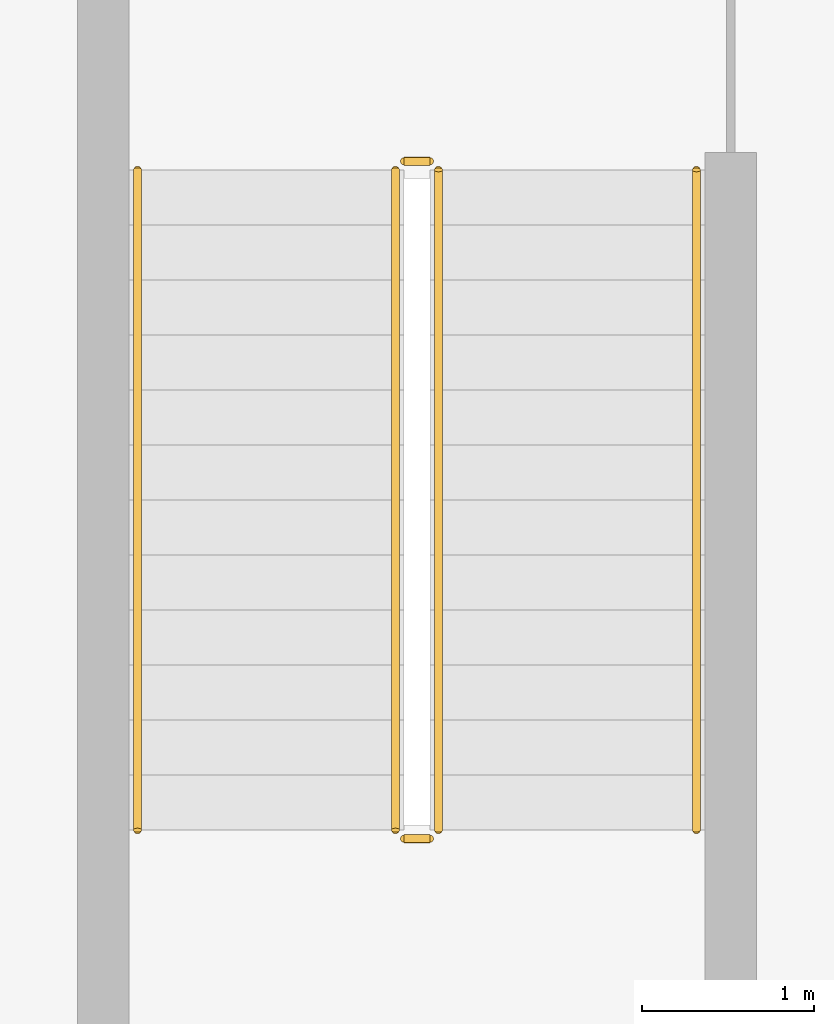
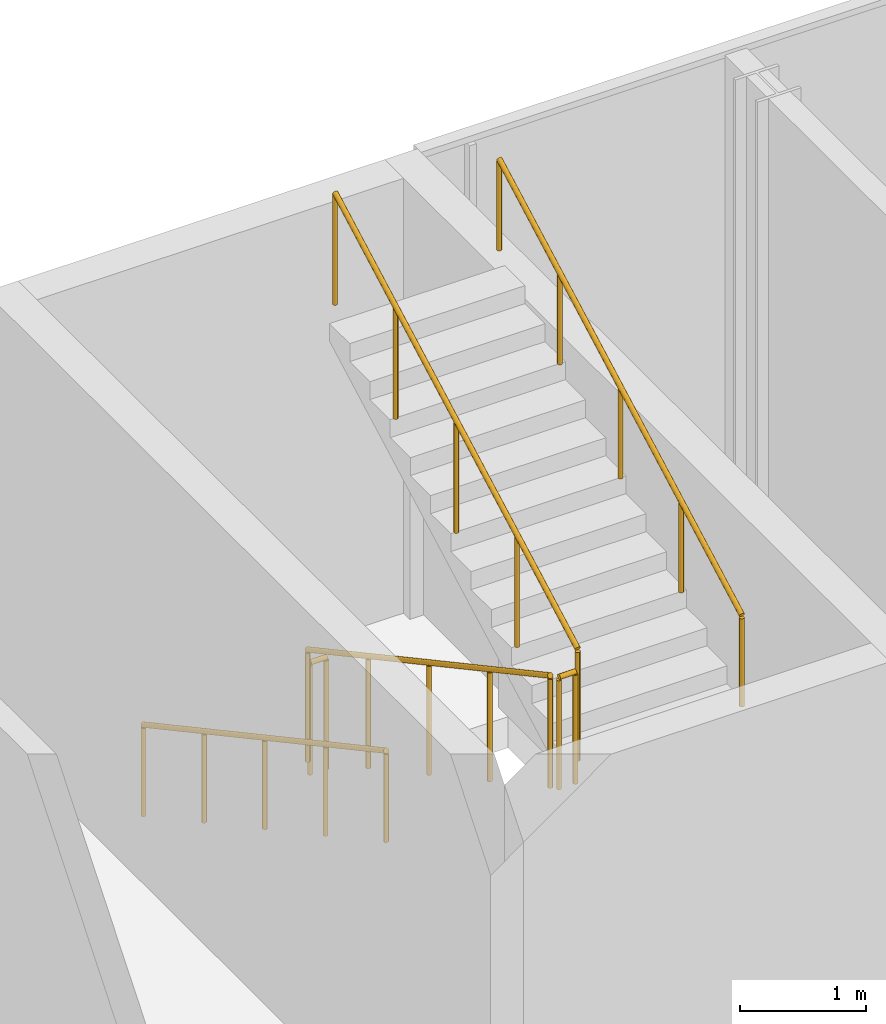
# One storey, part 44 of 45: 6 railings.
"""IFC4 building model written with IfcOpenShell, lengths in metres."""

from ifc_helpers import new_model, si_unit, direction, frame, origin, origin_2d, place, context, subcontext, project, spatial, circle, extrude, material, type_object, element, save


model = new_model("IFC4")

# Units and contexts
model_context = context("Model", 3, precision=1e-05, world=origin(), true_north=direction((0.0, 1.0)))
body_context = subcontext(model_context, "Body", "Model", "MODEL_VIEW")
ifc_project = project(units=[si_unit("LENGTHUNIT", "METRE"), si_unit("AREAUNIT", "SQUARE_METRE"), si_unit("VOLUMEUNIT", "CUBIC_METRE"), si_unit("PLANEANGLEUNIT", "RADIAN"), si_unit("MASSUNIT", "GRAM", prefix="KILO")], contexts=[model_context])

# Site, building, storey
site_placement = place(None, origin())
site = spatial("IfcSite", under=ifc_project, at=site_placement, CompositionType="ELEMENT")
building_placement = place(site_placement, origin())
building = spatial("IfcBuilding", under=site, at=building_placement, Name="Madar Terraces", CompositionType="ELEMENT")
storey_placement = place(building_placement, frame((0.0, 0.0, 6.0)))
storey = spatial("IfcBuildingStorey", under=building, at=storey_placement, Name="L01", CompositionType="ELEMENT", Elevation=6.0)

# Railings
ifc_material_1 = material(Name="Stainless steel railing", Category="steel")
railing_type_1 = type_object("IfcRailingType", Name="Stair guard 1100", PredefinedType="GUARDRAIL", material=ifc_material_1)
railing_1_placement = place(storey_placement, frame((38.25, 55.699951171875, 0.173095703125)))
element("IfcRailing", 1, at=railing_1_placement, inside=storey, type_object=railing_type_1, Name="L01 PS2 stair guard 1", PredefinedType="GUARDRAIL", context=body_context, shape_type="SweptSolid", body=[
    extrude(circle(Radius=0.02392578125, at=origin_2d()), frame((0.0, 0.0, 1.076171875), z_axis=(0.0, -0.879580660541, 0.475749788862), x_axis=(1.0, 0.0, 0.0)), (0.0, 0.0, 1.0), 4.365478515625),
    extrude(circle(Radius=0.02099609375, at=origin_2d()), origin(), (0.0, 0.0, 1.0), 1.052001953125),
    extrude(circle(Radius=0.02099609375, at=origin_2d()), frame((0.0, -0.9599609375, 0.519287109375)), (0.0, 0.0, 1.0), 1.052001953125),
    extrude(circle(Radius=0.02099609375, at=origin_2d()), frame((0.0, -1.919921875, 1.03857421875)), (0.0, 0.0, 1.0), 1.052001953125),
    extrude(circle(Radius=0.02099609375, at=origin_2d()), frame((0.0, -2.8798828125, 1.5576171875)), (0.0, 0.0, 1.0), 1.052001953125),
    extrude(circle(Radius=0.02099609375, at=origin_2d()), frame((0.0, -3.83984375, 2.076904296875)), (0.0, 0.0, 1.0), 1.052001953125),
])
railing_2_placement = place(storey_placement, frame((38.300048828125, 51.81005859375, 2.25)))
element("IfcRailing", 2, at=railing_2_placement, inside=storey, type_object=railing_type_1, Name="L01 PS2 stair guard 2", PredefinedType="GUARDRAIL", context=body_context, shape_type="SweptSolid", body=[
    extrude(circle(Radius=0.02392578125, at=origin_2d()), frame((0.0, 0.0, 1.076171875), z_axis=(1.0, 0.0, 0.0), x_axis=(0.0, 1.0, 0.0)), (0.0, 0.0, 1.0), 0.14990234375),
    extrude(circle(Radius=0.02099609375, at=origin_2d()), origin(), (0.0, 0.0, 1.0), 1.052001953125),
    extrude(circle(Radius=0.02099609375, at=origin_2d()), frame((0.14990234375, 0.0, 0.0)), (0.0, 0.0, 1.0), 1.052001953125),
])
railing_3_placement = place(storey_placement, frame((38.5, 51.860107421875, 2.423095703125)))
element("IfcRailing", 3, at=railing_3_placement, inside=storey, type_object=railing_type_1, Name="L01 PS2 stair guard 3", PredefinedType="GUARDRAIL", context=body_context, shape_type="SweptSolid", body=[
    extrude(circle(Radius=0.02392578125, at=origin_2d()), frame((0.0, 0.0, 1.076171875), z_axis=(0.0, 0.879580660541, 0.475749788862), x_axis=(-1.0, 0.0, 0.0)), (0.0, 0.0, 1.0), 4.365478515625),
    extrude(circle(Radius=0.02099609375, at=origin_2d()), origin(), (0.0, 0.0, 1.0), 1.052001953125),
    extrude(circle(Radius=0.02099609375, at=origin_2d()), frame((0.0, 0.9599609375, 0.519287109375)), (0.0, 0.0, 1.0), 1.052001953125),
    extrude(circle(Radius=0.02099609375, at=origin_2d()), frame((0.0, 1.919921875, 1.03857421875)), (0.0, 0.0, 1.0), 1.052001953125),
    extrude(circle(Radius=0.02099609375, at=origin_2d()), frame((0.0, 2.8798828125, 1.5576171875)), (0.0, 0.0, 1.0), 1.052001953125),
    extrude(circle(Radius=0.02099609375, at=origin_2d()), frame((0.0, 3.83984375, 2.076904296875)), (0.0, 0.0, 1.0), 1.052001953125),
])
railing_4_placement = place(storey_placement, frame((38.300048828125, 55.75, 0.0)))
element("IfcRailing", 4, at=railing_4_placement, inside=storey, type_object=railing_type_1, Name="L01 PS2 stair guard 4", PredefinedType="GUARDRAIL", context=body_context, shape_type="SweptSolid", body=[
    extrude(circle(Radius=0.02392578125, at=origin_2d()), frame((0.0, 0.0, 1.076171875), z_axis=(1.0, 0.0, 0.0), x_axis=(0.0, 1.0, 0.0)), (0.0, 0.0, 1.0), 0.14990234375),
    extrude(circle(Radius=0.02099609375, at=origin_2d()), origin(), (0.0, 0.0, 1.0), 1.052001953125),
    extrude(circle(Radius=0.02099609375, at=origin_2d()), frame((0.14990234375, 0.0, 0.0)), (0.0, 0.0, 1.0), 1.052001953125),
])
ifc_material_2 = material(Name="Stainless steel railing", Category="steel")
railing_type_2 = type_object("IfcRailingType", Name="Stair handrail 900", PredefinedType="HANDRAIL", material=ifc_material_2)
railing_5_placement = place(storey_placement, frame((36.75, 55.699951171875, 0.173095703125)))
element("IfcRailing", 5, at=railing_5_placement, inside=storey, type_object=railing_type_2, Name="L01 PS2 stair handrail 1", PredefinedType="HANDRAIL", context=body_context, shape_type="SweptSolid", body=[
    extrude(circle(Radius=0.02392578125, at=origin_2d()), frame((0.0, 0.0, 0.8759765625), z_axis=(0.0, -0.879580660541, 0.475749788862), x_axis=(1.0, 0.0, 0.0)), (0.0, 0.0, 1.0), 4.365478515625),
    extrude(circle(Radius=0.02099609375, at=origin_2d()), origin(), (0.0, 0.0, 1.0), 0.851806640625),
    extrude(circle(Radius=0.02099609375, at=origin_2d()), frame((0.0, -0.9599609375, 0.519287109375)), (0.0, 0.0, 1.0), 0.851806640625),
    extrude(circle(Radius=0.02099609375, at=origin_2d()), frame((0.0, -1.919921875, 1.03857421875)), (0.0, 0.0, 1.0), 0.851806640625),
    extrude(circle(Radius=0.02099609375, at=origin_2d()), frame((0.0, -2.8798828125, 1.5576171875)), (0.0, 0.0, 1.0), 0.851806640625),
    extrude(circle(Radius=0.02099609375, at=origin_2d()), frame((0.0, -3.83984375, 2.076904296875)), (0.0, 0.0, 1.0), 0.851806640625),
])
railing_6_placement = place(storey_placement, frame((40.0, 51.860107421875, 2.423095703125)))
element("IfcRailing", 6, at=railing_6_placement, inside=storey, type_object=railing_type_2, Name="L01 PS2 stair handrail 2", PredefinedType="HANDRAIL", context=body_context, shape_type="SweptSolid", body=[
    extrude(circle(Radius=0.02392578125, at=origin_2d()), frame((0.0, 0.0, 0.8759765625), z_axis=(0.0, 0.879580660541, 0.475749788862), x_axis=(-1.0, 0.0, 0.0)), (0.0, 0.0, 1.0), 4.365478515625),
    extrude(circle(Radius=0.02099609375, at=origin_2d()), origin(), (0.0, 0.0, 1.0), 0.851806640625),
    extrude(circle(Radius=0.02099609375, at=origin_2d()), frame((0.0, 0.9599609375, 0.519287109375)), (0.0, 0.0, 1.0), 0.851806640625),
    extrude(circle(Radius=0.02099609375, at=origin_2d()), frame((0.0, 1.919921875, 1.03857421875)), (0.0, 0.0, 1.0), 0.851806640625),
    extrude(circle(Radius=0.02099609375, at=origin_2d()), frame((0.0, 2.8798828125, 1.5576171875)), (0.0, 0.0, 1.0), 0.851806640625),
    extrude(circle(Radius=0.02099609375, at=origin_2d()), frame((0.0, 3.83984375, 2.076904296875)), (0.0, 0.0, 1.0), 0.851806640625),
])

save(model, "model.ifc")
